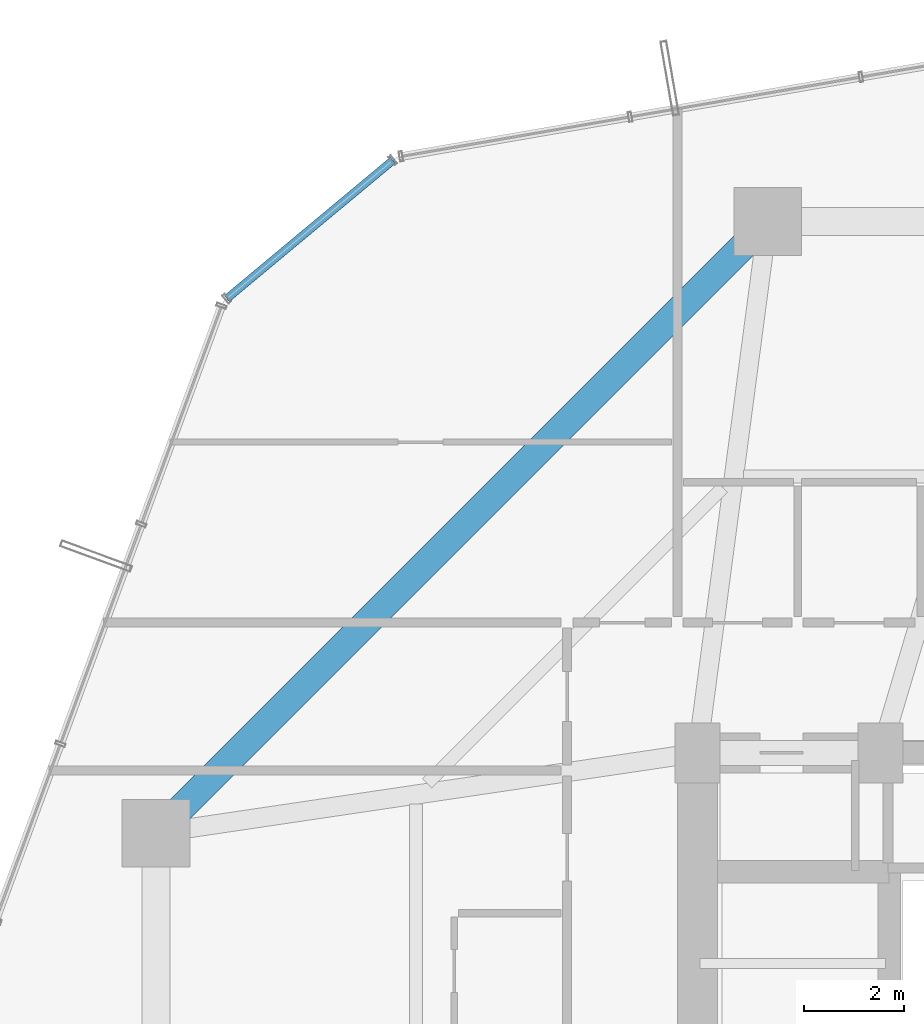
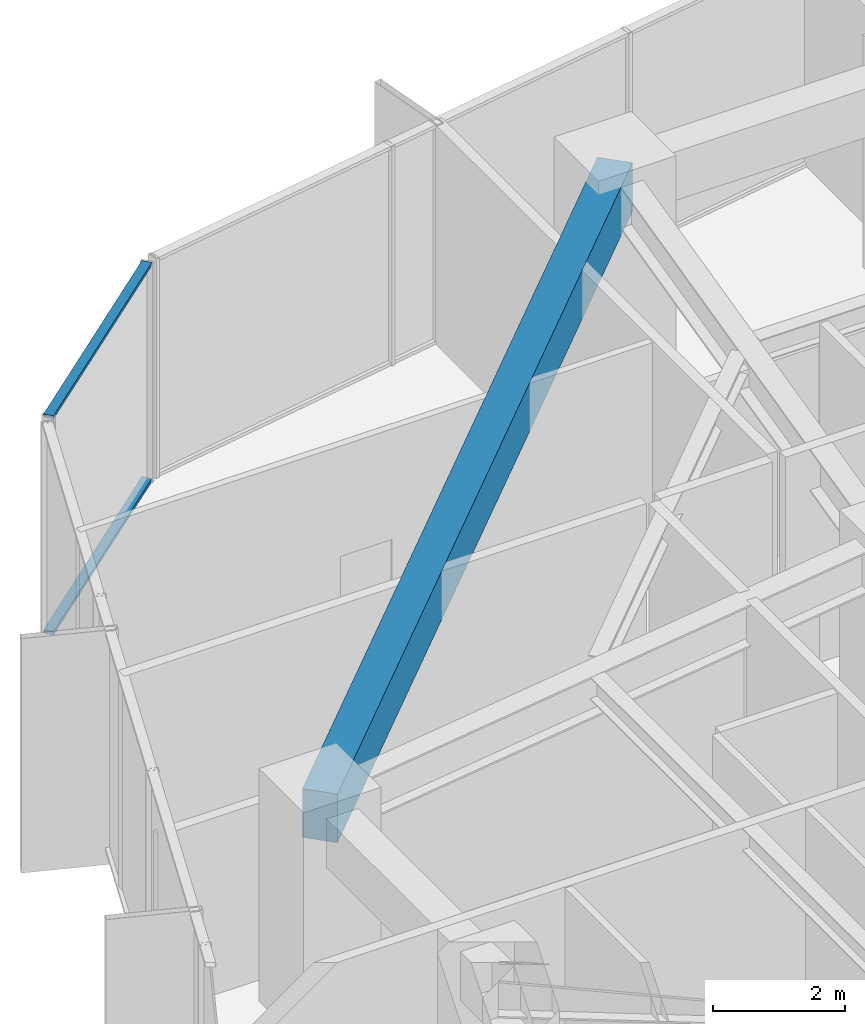
# One storey, part 21 of 35: 2 members, 1 beam, 1 element without a shape of its own.
"""IFC4 building model written with IfcOpenShell, lengths in metres."""

import ifcopenshell
import ifcopenshell.guid

model = None  # the IFC model being written
_history = None  # IfcOwnerHistory: only IFC2X3 demands one
_inside = {}  # id of a spatial element -> (the spatial element, [elements in it])
_under = {}  # id of a project, library or spatial element -> (it, [spatial elements below it])
_declared = {}  # id of a project -> (the project, [libraries it declares])
_typed = {}  # id of a type object -> (the type object, [elements of that type])
_made_of = {}  # id of a material, layer set ... -> (it, [elements and type objects made of it])


def new_model(schema):
    """Start an empty IFC model of exactly this schema.

    Asked for "IFC4X3", IfcOpenShell would pick the latest addendum, in which some entities
    have other attributes; the version numbers below select the first issue.
    IFC2X3 requires an IfcOwnerHistory on every rooted entity: one is made here for all.
    """
    global model, _history
    if schema == "IFC4X3":
        model = ifcopenshell.file(schema_version=(4, 3, 0, 0))
    else:
        model = ifcopenshell.file(schema=schema)
    _inside.clear()
    _under.clear()
    _declared.clear()
    _typed.clear()
    _made_of.clear()
    _history = None
    if model.schema == "IFC2X3":
        org = make("IfcOrganization", Name="unknown")
        user = make(
            "IfcPersonAndOrganization",
            ThePerson=make("IfcPerson", FamilyName="unknown"),
            TheOrganization=org,
        )
        app = make(
            "IfcApplication",
            ApplicationDeveloper=org,
            Version="unknown",
            ApplicationFullName="unknown",
            ApplicationIdentifier="unknown",
        )
        _history = make(
            "IfcOwnerHistory",
            OwningUser=user,
            OwningApplication=app,
            ChangeAction="ADDED",
            CreationDate=0,
        )
    return model


def make(cls, **values):
    """One entity of the class cls with the attributes given. An attribute that is None is left unset."""
    return model.create_entity(
        cls, **{name: value for name, value in values.items() if value is not None}
    )


def rooted(cls, **values):
    """An entity with a GlobalId (a new one), such as an element, a storey or a relation."""
    return make(cls, GlobalId=ifcopenshell.guid.new(), OwnerHistory=_history, **values)


def si_unit(unit_type, name, prefix=None):
    """IfcSIUnit, for example si_unit("LENGTHUNIT", "METRE", prefix="MILLI")."""
    return make("IfcSIUnit", UnitType=unit_type, Prefix=prefix, Name=name)


def assignment(units):
    """IfcUnitAssignment: the units of a project."""
    return None if units is None else make("IfcUnitAssignment", Units=units)


def point(xyz):
    """IfcCartesianPoint."""
    return None if xyz is None else make("IfcCartesianPoint", Coordinates=xyz)


def direction(xyz):
    """IfcDirection."""
    return None if xyz is None else make("IfcDirection", DirectionRatios=xyz)


def frame(location, z_axis=None, x_axis=None):
    """IfcAxis2Placement3D, a coordinate frame: its origin and axes. An axis left out is left unset."""
    return make(
        "IfcAxis2Placement3D",
        Location=point(location),
        Axis=direction(z_axis),
        RefDirection=direction(x_axis),
    )


def frame_2d(location, x_axis=None):
    """IfcAxis2Placement2D, a coordinate frame in the plane: its origin and x axis."""
    return make(
        "IfcAxis2Placement2D", Location=point(location), RefDirection=direction(x_axis)
    )


def origin():
    """The frame at (0, 0, 0) with its axes left unset."""
    return frame((0.0, 0.0, 0.0))


def origin_2d():
    """The frame at (0, 0) in the plane with its x axis left unset."""
    return frame_2d((0.0, 0.0))


def place(relative_to, where):
    """IfcLocalPlacement: puts the frame where relative to a parent placement (None: the world)."""
    return make(
        "IfcLocalPlacement", PlacementRelTo=relative_to, RelativePlacement=where
    )


def context(
    kind, dimensions, precision=None, world=None, true_north=None, identifier=None
):
    """IfcGeometricRepresentationContext, for example the 3D "Model" context."""
    return make(
        "IfcGeometricRepresentationContext",
        ContextIdentifier=identifier,
        ContextType=kind,
        CoordinateSpaceDimension=dimensions,
        Precision=precision,
        WorldCoordinateSystem=world,
        TrueNorth=true_north,
    )


def subcontext(parent, identifier, kind, view, scale=None):
    """IfcGeometricRepresentationSubContext, for example "Body" below "Model"."""
    return make(
        "IfcGeometricRepresentationSubContext",
        ContextIdentifier=identifier,
        ContextType=kind,
        ParentContext=parent,
        TargetScale=scale,
        TargetView=view,
    )


def project(units=None, contexts=None):
    """IfcProject with its units and contexts."""
    return rooted(
        "IfcProject",
        Name="project",
        RepresentationContexts=contexts,
        UnitsInContext=assignment(units),
    )


def spatial(cls, under=None, at=None, **own):
    """A site, building, storey or space (cls), placed at a placement, below another one or the project."""
    s = rooted(cls, ObjectPlacement=at, **own)
    if under is not None:
        _under.setdefault(under.id(), (under, []))[1].append(s)
    return s


def profile(cls, at=None, kind="AREA", **sizes):
    """A parametric profile (cls). Its sizes go by their IFC names, for example OverallWidth=200.0."""
    return make(cls, ProfileType=kind, Position=at, **sizes)


def rectangle(**sizes):
    """IfcRectangleProfileDef."""
    return profile("IfcRectangleProfileDef", **sizes)


def hollow_rectangle(**sizes):
    """IfcRectangleHollowProfileDef."""
    return profile("IfcRectangleHollowProfileDef", **sizes)


def extrude(swept, where, along, depth):
    """IfcExtrudedAreaSolid: the profile swept, set in the frame where, extruded along a direction by depth."""
    return make(
        "IfcExtrudedAreaSolid",
        SweptArea=swept,
        Position=where,
        ExtrudedDirection=direction(along),
        Depth=depth,
    )


def shape(context_of_items, identifier, shape_type, items):
    """IfcShapeRepresentation: the items that make up one representation, for example the "Body"."""
    return make(
        "IfcShapeRepresentation",
        ContextOfItems=context_of_items,
        RepresentationIdentifier=identifier,
        RepresentationType=shape_type,
        Items=items,
    )


def source(mapping_origin, context_of_items, identifier, shape_type, items):
    """IfcRepresentationMap: a shape defined once, which mapped items show again and again."""
    return make(
        "IfcRepresentationMap",
        MappingOrigin=mapping_origin,
        MappedRepresentation=shape(context_of_items, identifier, shape_type, items),
    )


def transform(
    local_origin,
    x_axis=None,
    y_axis=None,
    z_axis=None,
    scale=None,
    scale2=None,
    scale3=None,
    uniform=True,
):
    """IfcCartesianTransformationOperator3D, or its non-uniform kind. x_axis, y_axis, z_axis: its Axis1, 2, 3."""
    if uniform:
        return make(
            "IfcCartesianTransformationOperator3D",
            Axis1=direction(x_axis),
            Axis2=direction(y_axis),
            LocalOrigin=point(local_origin),
            Scale=scale,
            Axis3=direction(z_axis),
        )
    return make(
        "IfcCartesianTransformationOperator3DnonUniform",
        Axis1=direction(x_axis),
        Axis2=direction(y_axis),
        LocalOrigin=point(local_origin),
        Scale=scale,
        Axis3=direction(z_axis),
        Scale2=scale2,
        Scale3=scale3,
    )


def mapped(mapping_source, mapping_target):
    """IfcMappedItem: shows the shape of a source again, moved by a transform."""
    return make(
        "IfcMappedItem", MappingSource=mapping_source, MappingTarget=mapping_target
    )


def material(Name=None, Category=None):
    """IfcMaterial."""
    return make("IfcMaterial", Name=Name, Category=Category)


def layer(
    of_material, thickness, ventilated=None, Name=None, Category=None, Priority=None
):
    """IfcMaterialLayer: one layer of a wall or slab, of a material (None: an air gap)."""
    return make(
        "IfcMaterialLayer",
        Material=of_material,
        LayerThickness=thickness,
        IsVentilated=ventilated,
        Name=Name,
        Category=Category,
        Priority=Priority,
    )


def layer_set(layers, Name=None):
    """IfcMaterialLayerSet."""
    return make("IfcMaterialLayerSet", MaterialLayers=layers, LayerSetName=Name)


def material_profile(
    of_material, cross_section, Name=None, Category=None, Priority=None
):
    """IfcMaterialProfile: a cross section and its material."""
    return make(
        "IfcMaterialProfile",
        Name=Name,
        Material=of_material,
        Profile=cross_section,
        Priority=Priority,
        Category=Category,
    )


def profile_set(profiles, Name=None, composite=None):
    """IfcMaterialProfileSet."""
    return make(
        "IfcMaterialProfileSet",
        Name=Name,
        MaterialProfiles=profiles,
        CompositeProfile=composite,
    )


def made_of(thing, what):
    """Note that an element or type object is made of a material, layer set ...; save() writes the relation."""
    if what is not None:
        _made_of.setdefault(what.id(), (what, []))[1].append(thing)
    return thing


def type_object(cls, material=None, **own):
    """A type object (cls), such as IfcWallType, which elements share."""
    return made_of(rooted(cls, **own), material)


def element(
    cls,
    number,
    at=None,
    inside=None,
    cuts=None,
    type_object=None,
    material=None,
    context=None,
    identifier="Body",
    shape_type=None,
    held_by="IfcProductDefinitionShape",
    body=None,
    shapes=None,
    **own,
):
    """One element of the class cls, such as IfcWall. Its Tag is "e" and its number.

    at: its placement. inside: the storey or other place that contains it. cuts: it is an
    opening in that element (IfcRelVoidsElement). A single representation is given by context,
    identifier, shape_type and body (its items); several are given by shapes. held_by: the class
    of the entity that holds the representations. save() writes the other relations.
    """
    e = rooted(cls, Tag="e%d" % number, ObjectPlacement=at, **own)
    if body is not None:
        shapes = [shape(context, identifier, shape_type, body)]
    if shapes is not None:
        e.Representation = make(held_by, Representations=shapes)
    if inside is not None:
        _inside.setdefault(inside.id(), (inside, []))[1].append(e)
    if cuts is not None:
        rooted(
            "IfcRelVoidsElement", RelatingBuildingElement=cuts, RelatedOpeningElement=e
        )
    if type_object is not None:
        _typed.setdefault(type_object.id(), (type_object, []))[1].append(e)
    return made_of(e, material)


def aggregate(whole, parts):
    """IfcRelAggregates: a whole, such as a stair, and the parts it consists of."""
    return rooted("IfcRelAggregates", RelatingObject=whole, RelatedObjects=parts)


def save(model, path):
    """Write the relations noted so far, then the file.

    IfcRelAggregates (storeys below a building ...), IfcRelContainedInSpatialStructure (elements
    in a storey), IfcRelDefinesByType, IfcRelAssociatesMaterial and IfcRelDeclares: one each for
    every whole, place, type object, material and project.
    """
    for whole, parts in _under.values():
        aggregate(whole, parts)
    for where, things in _inside.values():
        rooted(
            "IfcRelContainedInSpatialStructure",
            RelatedElements=things,
            RelatingStructure=where,
        )
    for kind, things in _typed.values():
        rooted("IfcRelDefinesByType", RelatedObjects=things, RelatingType=kind)
    for what, things in _made_of.values():
        rooted("IfcRelAssociatesMaterial", RelatedObjects=things, RelatingMaterial=what)
    for by, libraries in _declared.values():
        rooted("IfcRelDeclares", RelatingContext=by, RelatedDefinitions=libraries)
    model.write(path)


model = new_model("IFC4")

# Units and contexts
model_context = context("Model", 3, precision=1e-05, world=origin(), true_north=direction((0.0, 1.0)))
body_context = subcontext(model_context, "Body", "Model", "MODEL_VIEW")
ifc_project = project(units=[si_unit("LENGTHUNIT", "METRE"), si_unit("AREAUNIT", "SQUARE_METRE"), si_unit("VOLUMEUNIT", "CUBIC_METRE"), si_unit("PLANEANGLEUNIT", "RADIAN"), si_unit("MASSUNIT", "GRAM", prefix="KILO")], contexts=[model_context])

# Site, building, storey
site_placement = place(None, origin())
site = spatial("IfcSite", under=ifc_project, at=site_placement, CompositionType="ELEMENT")
building_placement = place(site_placement, origin())
building = spatial("IfcBuilding", under=site, at=building_placement, Name="Veraguas Prism Commons", CompositionType="ELEMENT")
storey_placement = place(building_placement, frame((0.0, 0.0, 56.550048828125)))
storey = spatial("IfcBuildingStorey", under=building, at=storey_placement, Name="L15", CompositionType="ELEMENT", Elevation=56.550048828125)

# Beam
ifc_material_1 = material(Name="Concrete C50/60", Category="concrete")
ifc_material_profile_1 = material_profile(ifc_material_1, rectangle(XDim=0.550048828125, YDim=0.89990234375, at=origin_2d()), Name="RC550X900")
ifc_profile_set_1 = profile_set([ifc_material_profile_1], Name="Concrete C50/60")
beam_type = type_object("IfcBeamType", Name="Perimeter Spandrel Lower RC 550x900", PredefinedType="SPANDREL", material=ifc_profile_set_1)
beam_placement = place(storey_placement, frame((18.60009765625, 41.60009765625, 3.599853515625), z_axis=(-0.707106781187, -0.707106781187, 0.0), x_axis=(0.707106781187, -0.707106781187, 0.0)))
element("IfcBeam", 1, at=beam_placement, inside=storey, type_object=beam_type, Name="Perimeter Spandrel Beam L15-SP06", PredefinedType="SPANDREL", context=body_context, shape_type="SweptSolid", body=[
    extrude(rectangle(XDim=0.550048828125, YDim=0.89990234375, at=origin_2d()), origin(), (0.0, 0.0, 1.0), 17.253662109375),
])

# Curtain wall, members
ifc_material_2 = material(Name="Anodised aluminium EN AW-6063 T6", Category="aluminium")
ifc_layer = layer(ifc_material_2, 0.199951171875, Name="Sky Lobby and Pool Acoustic Curtain Wall", Category="aluminium")
ifc_layer_set = layer_set([ifc_layer], Name="Anodised aluminium EN AW-6063 T6")
curtain_wall_type = type_object("IfcCurtainWallType", Name="Sky Lobby and Pool Acoustic Curtain Wall", PredefinedType="NOTDEFINED", material=ifc_layer_set)
curtain_wall_placement = place(storey_placement, origin())
curtain_wall = element("IfcCurtainWall", 2, at=curtain_wall_placement, inside=storey, type_object=curtain_wall_type, Name="Chamfer Curtain Wall L15-C3", PredefinedType="NOTDEFINED")
ifc_material_profile_2 = material_profile(ifc_material_2, hollow_rectangle(XDim=0.06005859375, YDim=0.159912109375, WallThickness=0.0029296875, at=origin_2d()), Name="AL60X160X3")
ifc_profile_set_2 = profile_set([ifc_material_profile_2], Name="Anodised aluminium EN AW-6063 T6")
member_type = type_object("IfcMemberType", Name="Curtain Wall Transom Heavy AL 60x160x3", PredefinedType="USERDEFINED", material=ifc_profile_set_2)
shared_shape = source(origin(), body_context, "Body", "SweptSolid", [
    extrude(hollow_rectangle(XDim=0.06005859375, YDim=0.159912109375, WallThickness=0.0029296875, at=origin_2d()), origin(), (0.0, 0.0, 1.0), 4.31494140625),
])
member_1_placement = place(storey_placement, frame((11.12646484375, 42.82177734375, 0.030029296875), z_axis=(-0.768300114785, -0.640089785593, 0.0), x_axis=(0.0, 0.0, 1.0)))
member_1 = element("IfcMember", 3, at=member_1_placement, type_object=member_type, Name="CW-SKY Transom 1", ObjectType="TRANSOM", PredefinedType="USERDEFINED", context=body_context, shape_type="MappedRepresentation", body=[
    mapped(shared_shape, transform((0.0, 0.0, 0.0), scale=1.0)),
])
member_2_placement = place(storey_placement, frame((11.12646484375, 42.82177734375, 4.02001953125), z_axis=(-0.768300114785, -0.640089785593, 0.0), x_axis=(0.0, 0.0, 1.0)))
member_2 = element("IfcMember", 4, at=member_2_placement, type_object=member_type, Name="CW-SKY Transom 2", ObjectType="TRANSOM", PredefinedType="USERDEFINED", context=body_context, shape_type="MappedRepresentation", body=[
    mapped(shared_shape, transform((0.0, 0.0, 0.0), scale=1.0)),
])
aggregate(curtain_wall, [member_1, member_2])

save(model, "model.ifc")
